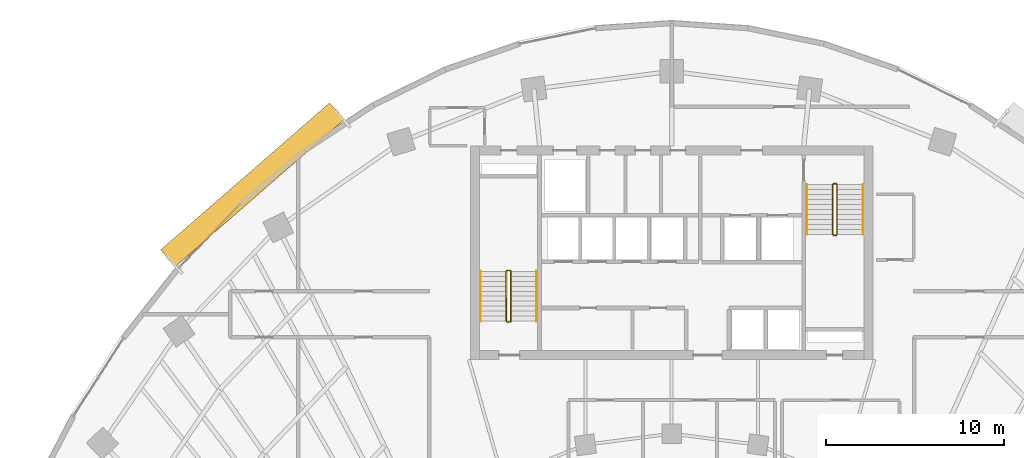
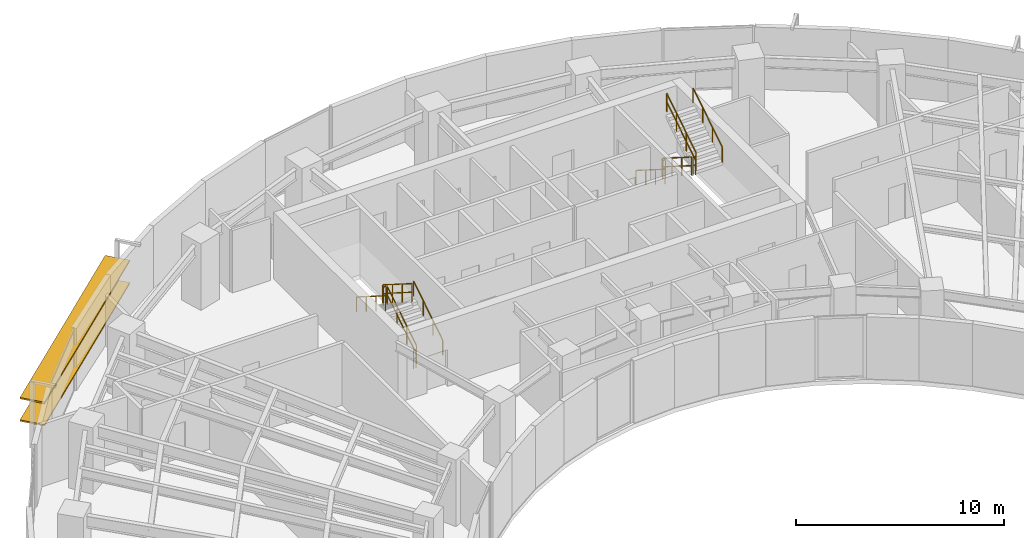
# One storey, part 13 of 14: 12 railings, 2 shading devices.
"""IFC4 building model written with IfcOpenShell, lengths in metres."""

from ifc_helpers import new_model, si_unit, direction, frame, origin, origin_2d, place, context, subcontext, project, spatial, rectangle, extrude, source, transform, mapped, material, material_profile, profile_set, type_object, element, save


model = new_model("IFC4")

# Units and contexts
model_context = context("Model", 3, precision=1e-05, world=origin(), true_north=direction((0.0, 1.0)))
body_context = subcontext(model_context, "Body", "Model", "MODEL_VIEW")
ifc_project = project(units=[si_unit("LENGTHUNIT", "METRE"), si_unit("AREAUNIT", "SQUARE_METRE"), si_unit("VOLUMEUNIT", "CUBIC_METRE"), si_unit("PLANEANGLEUNIT", "RADIAN"), si_unit("MASSUNIT", "GRAM", prefix="KILO")], contexts=[model_context])

# Site, building, storey
site_placement = place(None, origin())
site = spatial("IfcSite", under=ifc_project, at=site_placement, CompositionType="ELEMENT")
building_placement = place(site_placement, origin())
building = spatial("IfcBuilding", under=site, at=building_placement, Name="Breltana Convention Tower", CompositionType="ELEMENT")
storey_placement = place(building_placement, frame((0.0, 0.0, 111.60009765625)))
storey = spatial("IfcBuildingStorey", under=building, at=storey_placement, Name="L26", CompositionType="ELEMENT", Elevation=111.60009765625)

# Railings
ifc_material_1 = material(Name="Steel S275 Painted", Category="steel")
railing_type_1 = type_object("IfcRailingType", Name="RL-STAIR-GUARD-1100", PredefinedType="GUARDRAIL", material=ifc_material_1)
railing_1_placement = place(storey_placement, frame((38.9599609375, 62.360107421875, 0.17724609375)))
element("IfcRailing", 1, at=railing_1_placement, inside=storey, type_object=railing_type_1, Name="L26 ST-1 stair guard 1", PredefinedType="GUARDRAIL", context=body_context, shape_type="SweptSolid", body=[
    extrude(rectangle(XDim=0.048095703125, YDim=0.048095703125, at=origin_2d()), frame((0.0, 0.0, 1.076171875), z_axis=(0.0, 0.844887892834, 0.53494340686), x_axis=(-1.0, 0.0, 0.0)), (0.0, 0.0, 1.0), 3.313720703125),
    extrude(rectangle(XDim=0.048095703125, YDim=0.048095703125, at=origin_2d()), frame((0.0, 0.0, 0.572021484375), z_axis=(0.0, 0.844887892834, 0.53494340686), x_axis=(-1.0, 0.0, 0.0)), (0.0, 0.0, 1.0), 3.313720703125),
    extrude(rectangle(XDim=0.0419921875, YDim=0.0419921875, at=origin_2d()), origin(), (0.0, 0.0, 1.0), 1.052001953125),
    extrude(rectangle(XDim=0.0419921875, YDim=0.0419921875, at=origin_2d()), frame((0.0, 0.933349609375, 0.5908203125)), (0.0, 0.0, 1.0), 1.052001953125),
    extrude(rectangle(XDim=0.0419921875, YDim=0.0419921875, at=origin_2d()), frame((0.0, 1.866455078125, 1.181884765625)), (0.0, 0.0, 1.0), 1.052001953125),
    extrude(rectangle(XDim=0.0419921875, YDim=0.0419921875, at=origin_2d()), frame((0.0, 2.7998046875, 1.772705078125)), (0.0, 0.0, 1.0), 1.052001953125),
])
railing_2_placement = place(storey_placement, frame((38.909912109375, 65.2099609375, 1.949951171875)))
element("IfcRailing", 2, at=railing_2_placement, inside=storey, type_object=railing_type_1, Name="L26 ST-1 stair guard 2", PredefinedType="GUARDRAIL", context=body_context, shape_type="SweptSolid", body=[
    extrude(rectangle(XDim=0.048095703125, YDim=0.048095703125, at=origin_2d()), frame((0.0, 0.0, 1.076171875), z_axis=(-1.0, 0.0, 0.0), x_axis=(0.0, -1.0, 0.0)), (0.0, 0.0, 1.0), 0.14990234375),
    extrude(rectangle(XDim=0.048095703125, YDim=0.048095703125, at=origin_2d()), frame((0.0, 0.0, 0.572021484375), z_axis=(-1.0, 0.0, 0.0), x_axis=(0.0, -1.0, 0.0)), (0.0, 0.0, 1.0), 0.14990234375),
    extrude(rectangle(XDim=0.0419921875, YDim=0.0419921875, at=origin_2d()), origin(), (0.0, 0.0, 1.0), 1.052001953125),
    extrude(rectangle(XDim=0.0419921875, YDim=0.0419921875, at=origin_2d()), frame((-0.14990234375, 0.0, 0.0)), (0.0, 0.0, 1.0), 1.052001953125),
])
railing_3_placement = place(storey_placement, frame((38.7099609375, 65.159912109375, 2.127197265625)))
element("IfcRailing", 3, at=railing_3_placement, inside=storey, type_object=railing_type_1, Name="L26 ST-1 stair guard 3", PredefinedType="GUARDRAIL", context=body_context, shape_type="SweptSolid", body=[
    extrude(rectangle(XDim=0.048095703125, YDim=0.048095703125, at=origin_2d()), frame((0.0, 0.0, 1.076171875), z_axis=(0.0, -0.844887892834, 0.53494340686), x_axis=(1.0, 0.0, 0.0)), (0.0, 0.0, 1.0), 3.313720703125),
    extrude(rectangle(XDim=0.048095703125, YDim=0.048095703125, at=origin_2d()), frame((0.0, 0.0, 0.572021484375), z_axis=(0.0, -0.844887892834, 0.53494340686), x_axis=(1.0, 0.0, 0.0)), (0.0, 0.0, 1.0), 3.313720703125),
    extrude(rectangle(XDim=0.0419921875, YDim=0.0419921875, at=origin_2d()), origin(), (0.0, 0.0, 1.0), 1.052001953125),
    extrude(rectangle(XDim=0.0419921875, YDim=0.0419921875, at=origin_2d()), frame((0.0, -0.933349609375, 0.5908203125)), (0.0, 0.0, 1.0), 1.052001953125),
    extrude(rectangle(XDim=0.0419921875, YDim=0.0419921875, at=origin_2d()), frame((0.0, -1.866455078125, 1.181884765625)), (0.0, 0.0, 1.0), 1.052001953125),
    extrude(rectangle(XDim=0.0419921875, YDim=0.0419921875, at=origin_2d()), frame((0.0, -2.7998046875, 1.772705078125)), (0.0, 0.0, 1.0), 1.052001953125),
])
railing_4_placement = place(storey_placement, frame((38.909912109375, 62.31005859375, 0.0)))
element("IfcRailing", 4, at=railing_4_placement, inside=storey, type_object=railing_type_1, Name="L26 ST-1 stair guard 4", PredefinedType="GUARDRAIL", context=body_context, shape_type="SweptSolid", body=[
    extrude(rectangle(XDim=0.048095703125, YDim=0.048095703125, at=origin_2d()), frame((0.0, 0.0, 1.076171875), z_axis=(-1.0, 0.0, 0.0), x_axis=(0.0, -1.0, 0.0)), (0.0, 0.0, 1.0), 0.14990234375),
    extrude(rectangle(XDim=0.048095703125, YDim=0.048095703125, at=origin_2d()), frame((0.0, 0.0, 0.572021484375), z_axis=(-1.0, 0.0, 0.0), x_axis=(0.0, -1.0, 0.0)), (0.0, 0.0, 1.0), 0.14990234375),
    extrude(rectangle(XDim=0.0419921875, YDim=0.0419921875, at=origin_2d()), origin(), (0.0, 0.0, 1.0), 1.052001953125),
    extrude(rectangle(XDim=0.0419921875, YDim=0.0419921875, at=origin_2d()), frame((-0.14990234375, 0.0, 0.0)), (0.0, 0.0, 1.0), 1.052001953125),
])
railing_5_placement = place(storey_placement, frame((57.0400390625, 70.0400390625, 0.17724609375)))
element("IfcRailing", 5, at=railing_5_placement, inside=storey, type_object=railing_type_1, Name="L26 ST-2 stair guard 1", PredefinedType="GUARDRAIL", context=body_context, shape_type="SweptSolid", body=[
    extrude(rectangle(XDim=0.048095703125, YDim=0.048095703125, at=origin_2d()), frame((0.0, 0.0, 1.076171875), z_axis=(0.0, -0.844908973607, 0.534910110503), x_axis=(1.0, 0.0, 0.0)), (0.0, 0.0, 1.0), 3.31396484375),
    extrude(rectangle(XDim=0.048095703125, YDim=0.048095703125, at=origin_2d()), frame((0.0, 0.0, 0.572021484375), z_axis=(0.0, -0.844908973607, 0.534910110503), x_axis=(1.0, 0.0, 0.0)), (0.0, 0.0, 1.0), 3.31396484375),
    extrude(rectangle(XDim=0.0419921875, YDim=0.0419921875, at=origin_2d()), origin(), (0.0, 0.0, 1.0), 1.052001953125),
    extrude(rectangle(XDim=0.0419921875, YDim=0.0419921875, at=origin_2d()), frame((0.0, -0.933349609375, 0.5908203125)), (0.0, 0.0, 1.0), 1.052001953125),
    extrude(rectangle(XDim=0.0419921875, YDim=0.0419921875, at=origin_2d()), frame((0.0, -1.86669921875, 1.181884765625)), (0.0, 0.0, 1.0), 1.052001953125),
    extrude(rectangle(XDim=0.0419921875, YDim=0.0419921875, at=origin_2d()), frame((0.0, -2.800048828125, 1.772705078125)), (0.0, 0.0, 1.0), 1.052001953125),
])
railing_6_placement = place(storey_placement, frame((57.090087890625, 67.18994140625, 1.949951171875)))
element("IfcRailing", 6, at=railing_6_placement, inside=storey, type_object=railing_type_1, Name="L26 ST-2 stair guard 2", PredefinedType="GUARDRAIL", context=body_context, shape_type="SweptSolid", body=[
    extrude(rectangle(XDim=0.048095703125, YDim=0.048095703125, at=origin_2d()), frame((0.0, 0.0, 1.076171875), z_axis=(1.0, 0.0, 0.0), x_axis=(0.0, 1.0, 0.0)), (0.0, 0.0, 1.0), 0.14990234375),
    extrude(rectangle(XDim=0.048095703125, YDim=0.048095703125, at=origin_2d()), frame((0.0, 0.0, 0.572021484375), z_axis=(1.0, 0.0, 0.0), x_axis=(0.0, 1.0, 0.0)), (0.0, 0.0, 1.0), 0.14990234375),
    extrude(rectangle(XDim=0.0419921875, YDim=0.0419921875, at=origin_2d()), origin(), (0.0, 0.0, 1.0), 1.052001953125),
    extrude(rectangle(XDim=0.0419921875, YDim=0.0419921875, at=origin_2d()), frame((0.14990234375, 0.0, 0.0)), (0.0, 0.0, 1.0), 1.052001953125),
])
railing_7_placement = place(storey_placement, frame((57.2900390625, 67.239990234375, 2.127197265625)))
element("IfcRailing", 7, at=railing_7_placement, inside=storey, type_object=railing_type_1, Name="L26 ST-2 stair guard 3", PredefinedType="GUARDRAIL", context=body_context, shape_type="SweptSolid", body=[
    extrude(rectangle(XDim=0.048095703125, YDim=0.048095703125, at=origin_2d()), frame((0.0, 0.0, 1.076171875), z_axis=(0.0, 0.844908973607, 0.534910110503), x_axis=(-1.0, 0.0, 0.0)), (0.0, 0.0, 1.0), 3.31396484375),
    extrude(rectangle(XDim=0.048095703125, YDim=0.048095703125, at=origin_2d()), frame((0.0, 0.0, 0.572021484375), z_axis=(0.0, 0.844908973607, 0.534910110503), x_axis=(-1.0, 0.0, 0.0)), (0.0, 0.0, 1.0), 3.31396484375),
    extrude(rectangle(XDim=0.0419921875, YDim=0.0419921875, at=origin_2d()), origin(), (0.0, 0.0, 1.0), 1.052001953125),
    extrude(rectangle(XDim=0.0419921875, YDim=0.0419921875, at=origin_2d()), frame((0.0, 0.933349609375, 0.5908203125)), (0.0, 0.0, 1.0), 1.052001953125),
    extrude(rectangle(XDim=0.0419921875, YDim=0.0419921875, at=origin_2d()), frame((0.0, 1.86669921875, 1.181884765625)), (0.0, 0.0, 1.0), 1.052001953125),
    extrude(rectangle(XDim=0.0419921875, YDim=0.0419921875, at=origin_2d()), frame((0.0, 2.800048828125, 1.772705078125)), (0.0, 0.0, 1.0), 1.052001953125),
])
railing_8_placement = place(storey_placement, frame((57.090087890625, 70.090087890625, 0.0)))
element("IfcRailing", 8, at=railing_8_placement, inside=storey, type_object=railing_type_1, Name="L26 ST-2 stair guard 4", PredefinedType="GUARDRAIL", context=body_context, shape_type="SweptSolid", body=[
    extrude(rectangle(XDim=0.048095703125, YDim=0.048095703125, at=origin_2d()), frame((0.0, 0.0, 1.076171875), z_axis=(1.0, 0.0, 0.0), x_axis=(0.0, 1.0, 0.0)), (0.0, 0.0, 1.0), 0.14990234375),
    extrude(rectangle(XDim=0.048095703125, YDim=0.048095703125, at=origin_2d()), frame((0.0, 0.0, 0.572021484375), z_axis=(1.0, 0.0, 0.0), x_axis=(0.0, 1.0, 0.0)), (0.0, 0.0, 1.0), 0.14990234375),
    extrude(rectangle(XDim=0.0419921875, YDim=0.0419921875, at=origin_2d()), origin(), (0.0, 0.0, 1.0), 1.052001953125),
    extrude(rectangle(XDim=0.0419921875, YDim=0.0419921875, at=origin_2d()), frame((0.14990234375, 0.0, 0.0)), (0.0, 0.0, 1.0), 1.052001953125),
])
ifc_material_2 = material(Name="Stainless Steel 316L", Category="steel")
railing_type_2 = type_object("IfcRailingType", Name="RL-STAIR-HANDRAIL-900", PredefinedType="HANDRAIL", material=ifc_material_2)
railing_9_placement = place(storey_placement, frame((40.419921875, 62.360107421875, 0.17724609375)))
element("IfcRailing", 9, at=railing_9_placement, inside=storey, type_object=railing_type_2, Name="L26 ST-1 stair handrail 1", PredefinedType="HANDRAIL", context=body_context, shape_type="SweptSolid", body=[
    extrude(rectangle(XDim=0.048095703125, YDim=0.048095703125, at=origin_2d()), frame((0.0, 0.0, 0.8759765625), z_axis=(0.0, 0.844887892834, 0.53494340686), x_axis=(-1.0, 0.0, 0.0)), (0.0, 0.0, 1.0), 3.313720703125),
    extrude(rectangle(XDim=0.0419921875, YDim=0.0419921875, at=origin_2d()), origin(), (0.0, 0.0, 1.0), 0.851806640625),
    extrude(rectangle(XDim=0.0419921875, YDim=0.0419921875, at=origin_2d()), frame((0.0, 0.933349609375, 0.5908203125)), (0.0, 0.0, 1.0), 0.851806640625),
    extrude(rectangle(XDim=0.0419921875, YDim=0.0419921875, at=origin_2d()), frame((0.0, 1.866455078125, 1.181884765625)), (0.0, 0.0, 1.0), 0.851806640625),
    extrude(rectangle(XDim=0.0419921875, YDim=0.0419921875, at=origin_2d()), frame((0.0, 2.7998046875, 1.772705078125)), (0.0, 0.0, 1.0), 0.851806640625),
])
railing_10_placement = place(storey_placement, frame((37.25, 65.159912109375, 2.127197265625)))
element("IfcRailing", 10, at=railing_10_placement, inside=storey, type_object=railing_type_2, Name="L26 ST-1 stair handrail 2", PredefinedType="HANDRAIL", context=body_context, shape_type="SweptSolid", body=[
    extrude(rectangle(XDim=0.048095703125, YDim=0.048095703125, at=origin_2d()), frame((0.0, 0.0, 0.8759765625), z_axis=(0.0, -0.844887892834, 0.53494340686), x_axis=(1.0, 0.0, 0.0)), (0.0, 0.0, 1.0), 3.313720703125),
    extrude(rectangle(XDim=0.0419921875, YDim=0.0419921875, at=origin_2d()), origin(), (0.0, 0.0, 1.0), 0.851806640625),
    extrude(rectangle(XDim=0.0419921875, YDim=0.0419921875, at=origin_2d()), frame((0.0, -0.933349609375, 0.5908203125)), (0.0, 0.0, 1.0), 0.851806640625),
    extrude(rectangle(XDim=0.0419921875, YDim=0.0419921875, at=origin_2d()), frame((0.0, -1.866455078125, 1.181884765625)), (0.0, 0.0, 1.0), 0.851806640625),
    extrude(rectangle(XDim=0.0419921875, YDim=0.0419921875, at=origin_2d()), frame((0.0, -2.7998046875, 1.772705078125)), (0.0, 0.0, 1.0), 0.851806640625),
])
railing_11_placement = place(storey_placement, frame((55.580078125, 70.0400390625, 0.17724609375)))
element("IfcRailing", 11, at=railing_11_placement, inside=storey, type_object=railing_type_2, Name="L26 ST-2 stair handrail 1", PredefinedType="HANDRAIL", context=body_context, shape_type="SweptSolid", body=[
    extrude(rectangle(XDim=0.048095703125, YDim=0.048095703125, at=origin_2d()), frame((0.0, 0.0, 0.8759765625), z_axis=(0.0, -0.844908973607, 0.534910110503), x_axis=(1.0, 0.0, 0.0)), (0.0, 0.0, 1.0), 3.31396484375),
    extrude(rectangle(XDim=0.0419921875, YDim=0.0419921875, at=origin_2d()), origin(), (0.0, 0.0, 1.0), 0.851806640625),
    extrude(rectangle(XDim=0.0419921875, YDim=0.0419921875, at=origin_2d()), frame((0.0, -0.933349609375, 0.5908203125)), (0.0, 0.0, 1.0), 0.851806640625),
    extrude(rectangle(XDim=0.0419921875, YDim=0.0419921875, at=origin_2d()), frame((0.0, -1.86669921875, 1.181884765625)), (0.0, 0.0, 1.0), 0.851806640625),
    extrude(rectangle(XDim=0.0419921875, YDim=0.0419921875, at=origin_2d()), frame((0.0, -2.800048828125, 1.772705078125)), (0.0, 0.0, 1.0), 0.851806640625),
])
railing_12_placement = place(storey_placement, frame((58.75, 67.239990234375, 2.127197265625)))
element("IfcRailing", 12, at=railing_12_placement, inside=storey, type_object=railing_type_2, Name="L26 ST-2 stair handrail 2", PredefinedType="HANDRAIL", context=body_context, shape_type="SweptSolid", body=[
    extrude(rectangle(XDim=0.048095703125, YDim=0.048095703125, at=origin_2d()), frame((0.0, 0.0, 0.8759765625), z_axis=(0.0, 0.844908973607, 0.534910110503), x_axis=(-1.0, 0.0, 0.0)), (0.0, 0.0, 1.0), 3.31396484375),
    extrude(rectangle(XDim=0.0419921875, YDim=0.0419921875, at=origin_2d()), origin(), (0.0, 0.0, 1.0), 0.851806640625),
    extrude(rectangle(XDim=0.0419921875, YDim=0.0419921875, at=origin_2d()), frame((0.0, 0.933349609375, 0.5908203125)), (0.0, 0.0, 1.0), 0.851806640625),
    extrude(rectangle(XDim=0.0419921875, YDim=0.0419921875, at=origin_2d()), frame((0.0, 1.86669921875, 1.181884765625)), (0.0, 0.0, 1.0), 0.851806640625),
    extrude(rectangle(XDim=0.0419921875, YDim=0.0419921875, at=origin_2d()), frame((0.0, 2.800048828125, 1.772705078125)), (0.0, 0.0, 1.0), 0.851806640625),
])

# Shading devices
ifc_material_3 = material(Name="Limestone Warm Buff Honed", Category="masonry")
ifc_material_profile = material_profile(ifc_material_3, rectangle(XDim=1.25, YDim=0.090087890625, at=origin_2d()), Name="STN-LVR-1250X90")
ifc_profile_set = profile_set([ifc_material_profile], Name="Limestone Warm Buff Honed")
shading_device_type = type_object("IfcShadingDeviceType", Name="SHD-OUTER-SKIN-LIMESTONE-1250", PredefinedType="JALOUSIE", material=ifc_profile_set)
shared_shape = source(origin(), body_context, "Body", "SweptSolid", [
    extrude(rectangle(XDim=1.25, YDim=0.090087890625, at=origin_2d()), origin(), (0.0, 0.0, 1.0), 12.59423828125),
])
for number, where, z_axis, x_axis, name in (
    (13, (19.6826171875, 65.894775390625, 1.31396484375), (0.754366759368, 0.656453191295, 0.0), (-0.656453191295, 0.754366759368, 0.0), "L26 outer skin warm limestone louvre 1.1"),
    (14, (19.6826171875, 65.894775390625, 2.6279296875), (0.754366759368, 0.656453191295, 0.0), (-0.656453191295, 0.754366759368, 0.0), "L26 outer skin warm limestone louvre 1.2"),
):
    element("IfcShadingDevice", number, at=place(storey_placement, frame(where, z_axis=z_axis, x_axis=x_axis)), inside=storey, type_object=shading_device_type, Name=name, PredefinedType="JALOUSIE", context=body_context, shape_type="MappedRepresentation", body=[
        mapped(shared_shape, transform((0.0, 0.0, 0.0), scale=1.0)),
    ])

save(model, "model.ifc")
